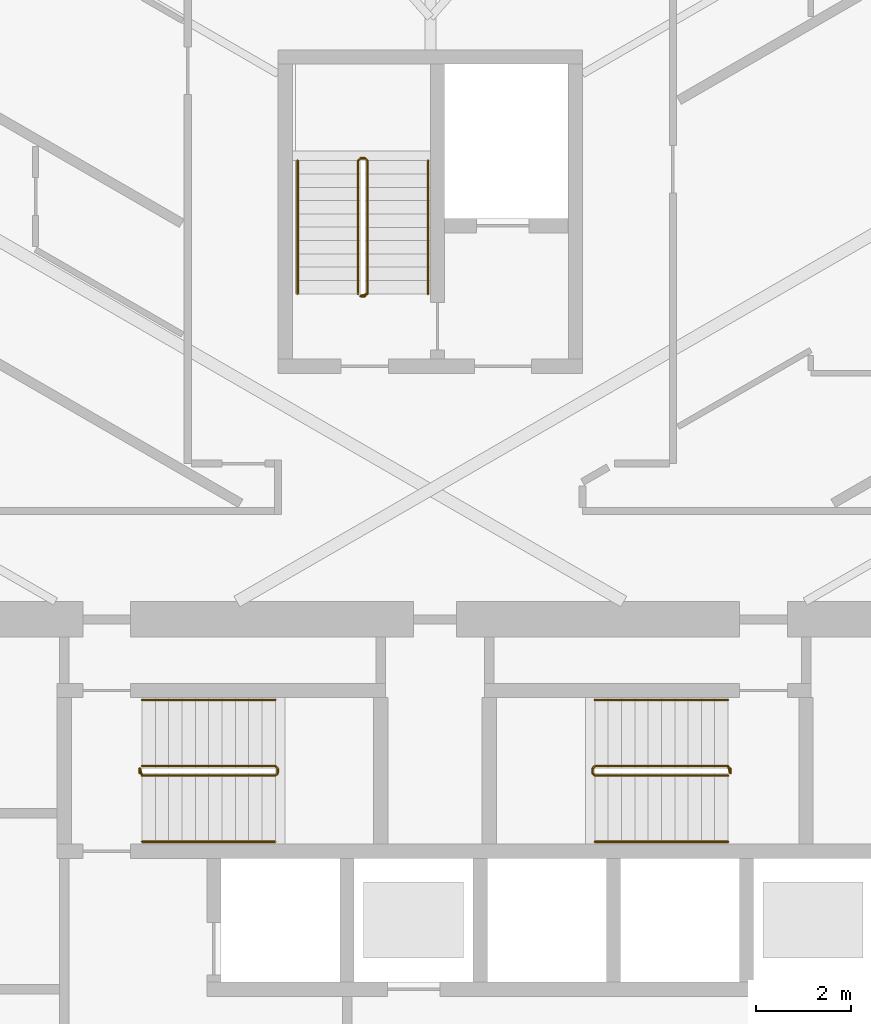
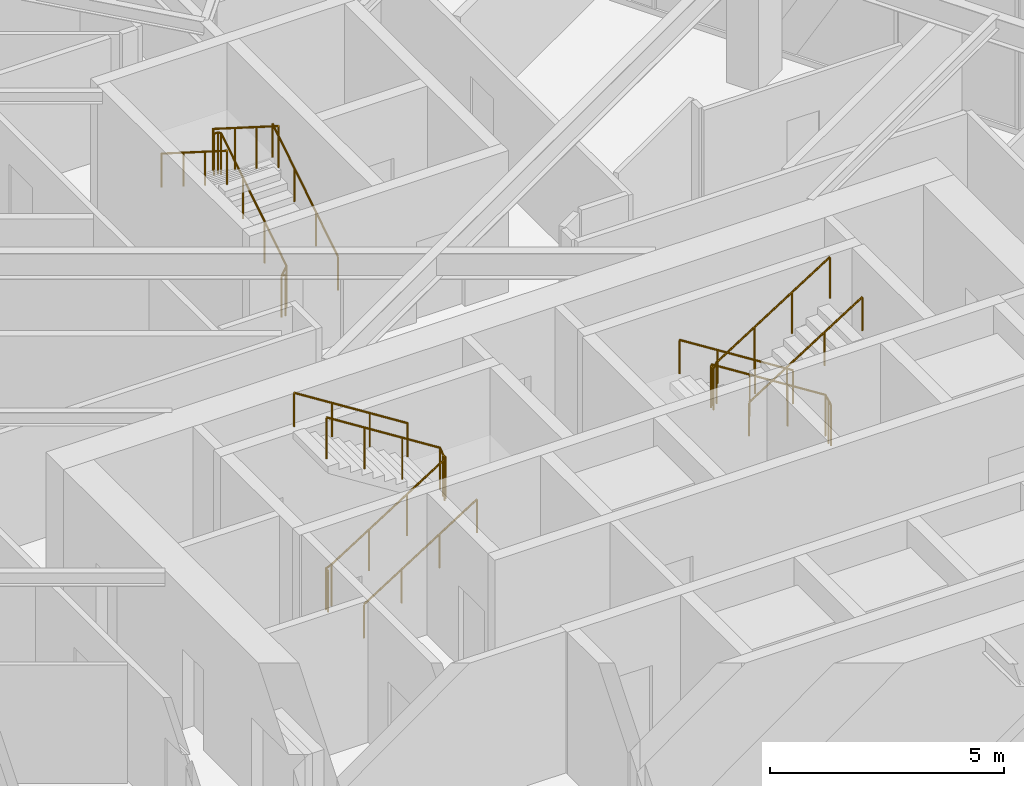
# One storey, part 23 of 24: 9 railings.
"""IFC4 building model written with IfcOpenShell, lengths in metres."""

from ifc_helpers import new_model, si_unit, direction, frame, origin, origin_2d, place, context, subcontext, project, spatial, circle, extrude, material, type_object, element, save


model = new_model("IFC4")

# Units and contexts
model_context = context("Model", 3, precision=1e-05, world=origin(), true_north=direction((0.0, 1.0)))
body_context = subcontext(model_context, "Body", "Model", "MODEL_VIEW")
ifc_project = project(units=[si_unit("LENGTHUNIT", "METRE"), si_unit("AREAUNIT", "SQUARE_METRE"), si_unit("VOLUMEUNIT", "CUBIC_METRE"), si_unit("PLANEANGLEUNIT", "RADIAN"), si_unit("MASSUNIT", "GRAM", prefix="KILO")], contexts=[model_context])

# Site, building, storey
site_placement = place(None, origin())
site = spatial("IfcSite", under=ifc_project, at=site_placement, CompositionType="ELEMENT")
building_placement = place(site_placement, origin())
building = spatial("IfcBuilding", under=site, at=building_placement, Name="Firuza Gate Tower and Library", CompositionType="ELEMENT")
storey_placement = place(building_placement, frame((0.0, 0.0, 171.39990234375)))
storey = spatial("IfcBuildingStorey", under=building, at=storey_placement, Name="L39", CompositionType="ELEMENT", Elevation=171.39990234375)

# Railings
ifc_material_1 = material(Name="Steel S355", Category="steel")
railing_type_1 = type_object("IfcRailingType", Name="Stair guard 1100", PredefinedType="GUARDRAIL", material=ifc_material_1)
railing_1_placement = place(storey_placement, frame((68.889892578125, 79.389892578125, 0.0)))
element("IfcRailing", 1, at=railing_1_placement, inside=storey, type_object=railing_type_1, Name="L39 ST1 stair guard 1", PredefinedType="GUARDRAIL", context=body_context, shape_type="SweptSolid", body=[
    extrude(circle(Radius=0.02392578125, at=origin_2d()), frame((0.0, 0.0, 1.076171875), z_axis=(0.0, 1.0, 0.0), x_axis=(-1.0, 0.0, 0.0)), (0.0, 0.0, 1.0), 0.10009765625),
    extrude(circle(Radius=0.02392578125, at=origin_2d()), frame((0.0, 0.10009765625, 1.076171875), z_axis=(0.210597297161, -0.630764587594, 0.746849927004), x_axis=(0.948528701346, 0.316691178788, 0.0)), (0.0, 0.0, 1.0), 0.237548828125),
    extrude(circle(Radius=0.02392578125, at=origin_2d()), frame((0.050048828125, -0.0498046875, 1.25341796875), z_axis=(0.844908973607, 0.0, 0.534910110503), x_axis=(0.0, 1.0, 0.0)), (0.0, 0.0, 1.0), 3.31396484375),
    extrude(circle(Radius=0.02392578125, at=origin_2d()), frame((2.85009765625, -0.0498046875, 3.0263671875), z_axis=(0.708833529934, 0.705375805398, 0.0), x_axis=(-0.705375805398, 0.708833529934, 0.0)), (0.0, 0.0, 1.0), 0.070556640625),
    extrude(circle(Radius=0.02392578125, at=origin_2d()), frame((2.900146484375, 0.0, 3.0263671875), z_axis=(0.0, 1.0, 0.0), x_axis=(-1.0, 0.0, 0.0)), (0.0, 0.0, 1.0), 0.10009765625),
    extrude(circle(Radius=0.02392578125, at=origin_2d()), frame((2.900146484375, 0.10009765625, 3.0263671875), z_axis=(-0.262233686654, 0.262233686654, 0.928691007369), x_axis=(-0.707106781187, -0.707106781187, 0.0)), (0.0, 0.0, 1.0), 0.19091796875),
    extrude(circle(Radius=0.02392578125, at=origin_2d()), frame((2.85009765625, 0.150146484375, 3.20361328125), z_axis=(-0.844908973607, 0.0, 0.534910110503), x_axis=(0.0, -1.0, 0.0)), (0.0, 0.0, 1.0), 3.31396484375),
    extrude(circle(Radius=0.02099609375, at=origin_2d()), origin(), (0.0, 0.0, 1.0), 1.052001953125),
    extrude(circle(Radius=0.02099609375, at=origin_2d()), frame((0.0, 0.10009765625, 0.0)), (0.0, 0.0, 1.0), 1.052001953125),
    extrude(circle(Radius=0.02099609375, at=origin_2d()), frame((0.050048828125, -0.0498046875, 0.177490234375)), (0.0, 0.0, 1.0), 1.052001953125),
    extrude(circle(Radius=0.02099609375, at=origin_2d()), frame((0.9833984375, -0.0498046875, 0.768310546875)), (0.0, 0.0, 1.0), 1.052001953125),
    extrude(circle(Radius=0.02099609375, at=origin_2d()), frame((1.916748046875, -0.0498046875, 1.359375)), (0.0, 0.0, 1.0), 1.052001953125),
    extrude(circle(Radius=0.02099609375, at=origin_2d()), frame((2.85009765625, -0.0498046875, 1.9501953125)), (0.0, 0.0, 1.0), 1.052001953125),
    extrude(circle(Radius=0.02099609375, at=origin_2d()), frame((2.900146484375, 0.0, 1.9501953125)), (0.0, 0.0, 1.0), 1.052001953125),
    extrude(circle(Radius=0.02099609375, at=origin_2d()), frame((2.900146484375, 0.10009765625, 1.9501953125)), (0.0, 0.0, 1.0), 1.052001953125),
    extrude(circle(Radius=0.02099609375, at=origin_2d()), frame((2.85009765625, 0.150146484375, 2.12744140625)), (0.0, 0.0, 1.0), 1.052001953125),
    extrude(circle(Radius=0.02099609375, at=origin_2d()), frame((1.916748046875, 0.150146484375, 2.71826171875)), (0.0, 0.0, 1.0), 1.052001953125),
    extrude(circle(Radius=0.02099609375, at=origin_2d()), frame((0.9833984375, 0.150146484375, 3.309326171875)), (0.0, 0.0, 1.0), 1.052001953125),
    extrude(circle(Radius=0.02099609375, at=origin_2d()), frame((0.050048828125, 0.150146484375, 3.900146484375)), (0.0, 0.0, 1.0), 1.052001953125),
])
railing_2_placement = place(storey_placement, frame((81.31005859375, 79.489990234375, 0.0)))
element("IfcRailing", 2, at=railing_2_placement, inside=storey, type_object=railing_type_1, Name="L39 ST2 stair guard 1", PredefinedType="GUARDRAIL", context=body_context, shape_type="SweptSolid", body=[
    extrude(circle(Radius=0.02392578125, at=origin_2d()), frame((0.0, 0.0, 1.076171875), z_axis=(0.0, -1.0, 0.0), x_axis=(1.0, 0.0, 0.0)), (0.0, 0.0, 1.0), 0.10009765625),
    extrude(circle(Radius=0.02392578125, at=origin_2d()), frame((0.0, -0.10009765625, 1.076171875), z_axis=(-0.210460854454, 0.631382563363, 0.746366054577), x_axis=(-0.948683298051, -0.316227766017, 0.0)), (0.0, 0.0, 1.0), 0.23779296875),
    extrude(circle(Radius=0.02392578125, at=origin_2d()), frame((-0.050048828125, 0.050048828125, 1.25341796875), z_axis=(-0.844908973607, 0.0, 0.534910110503), x_axis=(0.0, -1.0, 0.0)), (0.0, 0.0, 1.0), 3.31396484375),
    extrude(circle(Radius=0.02392578125, at=origin_2d()), frame((-2.85009765625, 0.050048828125, 3.0263671875), z_axis=(-0.707106781187, -0.707106781187, 0.0), x_axis=(0.707106781187, -0.707106781187, 0.0)), (0.0, 0.0, 1.0), 0.07080078125),
    extrude(circle(Radius=0.02392578125, at=origin_2d()), frame((-2.900146484375, 0.0, 3.0263671875), z_axis=(0.0, -1.0, 0.0), x_axis=(1.0, 0.0, 0.0)), (0.0, 0.0, 1.0), 0.10009765625),
    extrude(circle(Radius=0.02392578125, at=origin_2d()), frame((-2.900146484375, -0.10009765625, 3.0263671875), z_axis=(0.262321481514, -0.261041864531, 0.929001929653), x_axis=(0.705375805398, 0.708833529934, 0.0)), (0.0, 0.0, 1.0), 0.190673828125),
    extrude(circle(Radius=0.02392578125, at=origin_2d()), frame((-2.85009765625, -0.14990234375, 3.20361328125), z_axis=(0.844908973607, 0.0, 0.534910110503), x_axis=(0.0, 1.0, 0.0)), (0.0, 0.0, 1.0), 3.31396484375),
    extrude(circle(Radius=0.02099609375, at=origin_2d()), origin(), (0.0, 0.0, 1.0), 1.052001953125),
    extrude(circle(Radius=0.02099609375, at=origin_2d()), frame((0.0, -0.10009765625, 0.0)), (0.0, 0.0, 1.0), 1.052001953125),
    extrude(circle(Radius=0.02099609375, at=origin_2d()), frame((-0.050048828125, 0.050048828125, 0.177490234375)), (0.0, 0.0, 1.0), 1.052001953125),
    extrude(circle(Radius=0.02099609375, at=origin_2d()), frame((-0.9833984375, 0.050048828125, 0.768310546875)), (0.0, 0.0, 1.0), 1.052001953125),
    extrude(circle(Radius=0.02099609375, at=origin_2d()), frame((-1.916748046875, 0.050048828125, 1.359375)), (0.0, 0.0, 1.0), 1.052001953125),
    extrude(circle(Radius=0.02099609375, at=origin_2d()), frame((-2.85009765625, 0.050048828125, 1.9501953125)), (0.0, 0.0, 1.0), 1.052001953125),
    extrude(circle(Radius=0.02099609375, at=origin_2d()), frame((-2.900146484375, 0.0, 1.9501953125)), (0.0, 0.0, 1.0), 1.052001953125),
    extrude(circle(Radius=0.02099609375, at=origin_2d()), frame((-2.900146484375, -0.10009765625, 1.9501953125)), (0.0, 0.0, 1.0), 1.052001953125),
    extrude(circle(Radius=0.02099609375, at=origin_2d()), frame((-2.85009765625, -0.14990234375, 2.12744140625)), (0.0, 0.0, 1.0), 1.052001953125),
    extrude(circle(Radius=0.02099609375, at=origin_2d()), frame((-1.916748046875, -0.14990234375, 2.71826171875)), (0.0, 0.0, 1.0), 1.052001953125),
    extrude(circle(Radius=0.02099609375, at=origin_2d()), frame((-0.9833984375, -0.14990234375, 3.309326171875)), (0.0, 0.0, 1.0), 1.052001953125),
    extrude(circle(Radius=0.02099609375, at=origin_2d()), frame((-0.050048828125, -0.14990234375, 3.900146484375)), (0.0, 0.0, 1.0), 1.052001953125),
])
railing_3_placement = place(storey_placement, frame((73.6298828125, 89.419921875, 0.0)))
element("IfcRailing", 3, at=railing_3_placement, inside=storey, type_object=railing_type_1, Name="L39 ST3 stair guard 1", PredefinedType="GUARDRAIL", context=body_context, shape_type="SweptSolid", body=[
    extrude(circle(Radius=0.02392578125, at=origin_2d()), frame((0.0, 0.0, 1.076171875), z_axis=(-1.0, 0.0, 0.0), x_axis=(0.0, -1.0, 0.0)), (0.0, 0.0, 1.0), 0.099853515625),
    extrude(circle(Radius=0.02392578125, at=origin_2d()), frame((-0.099853515625, 0.0, 1.076171875), z_axis=(0.630764587594, 0.210597297161, 0.746849927004), x_axis=(-0.316691178788, 0.948528701346, 0.0)), (0.0, 0.0, 1.0), 0.237548828125),
    extrude(circle(Radius=0.02392578125, at=origin_2d()), frame((0.050048828125, 0.050048828125, 1.25341796875), z_axis=(0.0, 0.844908973607, 0.534910110503), x_axis=(-1.0, 0.0, 0.0)), (0.0, 0.0, 1.0), 3.31396484375),
    extrude(circle(Radius=0.02392578125, at=origin_2d()), frame((0.050048828125, 2.85009765625, 3.0263671875), z_axis=(-0.707106781187, 0.707106781187, 0.0), x_axis=(-0.707106781187, -0.707106781187, 0.0)), (0.0, 0.0, 1.0), 0.07080078125),
    extrude(circle(Radius=0.02392578125, at=origin_2d()), frame((0.0, 2.900146484375, 3.0263671875), z_axis=(-1.0, 0.0, 0.0), x_axis=(0.0, -1.0, 0.0)), (0.0, 0.0, 1.0), 0.099853515625),
    extrude(circle(Radius=0.02392578125, at=origin_2d()), frame((-0.099853515625, 2.900146484375, 3.0263671875), z_axis=(-0.262233686654, -0.262233686654, 0.928691007369), x_axis=(0.707106781187, -0.707106781187, 0.0)), (0.0, 0.0, 1.0), 0.19091796875),
    extrude(circle(Radius=0.02392578125, at=origin_2d()), frame((-0.14990234375, 2.85009765625, 3.20361328125), z_axis=(0.0, -0.844908973607, 0.534910110503), x_axis=(1.0, 0.0, 0.0)), (0.0, 0.0, 1.0), 3.31396484375),
    extrude(circle(Radius=0.02099609375, at=origin_2d()), origin(), (0.0, 0.0, 1.0), 1.052001953125),
    extrude(circle(Radius=0.02099609375, at=origin_2d()), frame((-0.099853515625, 0.0, 0.0)), (0.0, 0.0, 1.0), 1.052001953125),
    extrude(circle(Radius=0.02099609375, at=origin_2d()), frame((0.050048828125, 0.050048828125, 0.177490234375)), (0.0, 0.0, 1.0), 1.052001953125),
    extrude(circle(Radius=0.02099609375, at=origin_2d()), frame((0.050048828125, 0.9833984375, 0.768310546875)), (0.0, 0.0, 1.0), 1.052001953125),
    extrude(circle(Radius=0.02099609375, at=origin_2d()), frame((0.050048828125, 1.916748046875, 1.359375)), (0.0, 0.0, 1.0), 1.052001953125),
    extrude(circle(Radius=0.02099609375, at=origin_2d()), frame((0.050048828125, 2.85009765625, 1.9501953125)), (0.0, 0.0, 1.0), 1.052001953125),
    extrude(circle(Radius=0.02099609375, at=origin_2d()), frame((0.0, 2.900146484375, 1.9501953125)), (0.0, 0.0, 1.0), 1.052001953125),
    extrude(circle(Radius=0.02099609375, at=origin_2d()), frame((-0.099853515625, 2.900146484375, 1.9501953125)), (0.0, 0.0, 1.0), 1.052001953125),
    extrude(circle(Radius=0.02099609375, at=origin_2d()), frame((-0.14990234375, 2.85009765625, 2.12744140625)), (0.0, 0.0, 1.0), 1.052001953125),
    extrude(circle(Radius=0.02099609375, at=origin_2d()), frame((-0.14990234375, 1.916748046875, 2.71826171875)), (0.0, 0.0, 1.0), 1.052001953125),
    extrude(circle(Radius=0.02099609375, at=origin_2d()), frame((-0.14990234375, 0.9833984375, 3.309326171875)), (0.0, 0.0, 1.0), 1.052001953125),
    extrude(circle(Radius=0.02099609375, at=origin_2d()), frame((-0.14990234375, 0.050048828125, 3.900146484375)), (0.0, 0.0, 1.0), 1.052001953125),
])
ifc_material_2 = material(Name="Steel S355", Category="steel")
railing_type_2 = type_object("IfcRailingType", Name="Stair handrail 900", PredefinedType="HANDRAIL", material=ifc_material_2)
railing_4_placement = place(storey_placement, frame((68.93994140625, 77.949951171875, 0.177490234375)))
element("IfcRailing", 4, at=railing_4_placement, inside=storey, type_object=railing_type_2, Name="L39 ST1 stair handrail 1", PredefinedType="HANDRAIL", context=body_context, shape_type="SweptSolid", body=[
    extrude(circle(Radius=0.02392578125, at=origin_2d()), frame((0.0, 0.0, 0.8759765625), z_axis=(0.844908973607, 0.0, 0.534910110503), x_axis=(0.0, 1.0, 0.0)), (0.0, 0.0, 1.0), 3.31396484375),
    extrude(circle(Radius=0.02099609375, at=origin_2d()), origin(), (0.0, 0.0, 1.0), 0.851806640625),
    extrude(circle(Radius=0.02099609375, at=origin_2d()), frame((0.933349609375, 0.0, 0.5908203125)), (0.0, 0.0, 1.0), 0.851806640625),
    extrude(circle(Radius=0.02099609375, at=origin_2d()), frame((1.86669921875, 0.0, 1.181884765625)), (0.0, 0.0, 1.0), 0.851806640625),
    extrude(circle(Radius=0.02099609375, at=origin_2d()), frame((2.800048828125, 0.0, 1.772705078125)), (0.0, 0.0, 1.0), 0.851806640625),
])
for number, where, name in (
    (5, (71.739990234375, 80.929931640625, 2.12744140625), "L39 ST1 stair handrail 2"),
    (6, (81.260009765625, 80.929931640625, 0.177490234375), "L39 ST2 stair handrail 1"),
):
    element("IfcRailing", number, at=place(storey_placement, frame(where)), inside=storey, type_object=railing_type_2, Name=name, PredefinedType="HANDRAIL", context=body_context, shape_type="SweptSolid", body=[
        extrude(circle(Radius=0.02392578125, at=origin_2d()), frame((0.0, 0.0, 0.8759765625), z_axis=(-0.844908973607, 0.0, 0.534910110503), x_axis=(0.0, -1.0, 0.0)), (0.0, 0.0, 1.0), 3.31396484375),
        extrude(circle(Radius=0.02099609375, at=origin_2d()), origin(), (0.0, 0.0, 1.0), 0.851806640625),
        extrude(circle(Radius=0.02099609375, at=origin_2d()), frame((-0.933349609375, 0.0, 0.5908203125)), (0.0, 0.0, 1.0), 0.851806640625),
        extrude(circle(Radius=0.02099609375, at=origin_2d()), frame((-1.86669921875, 0.0, 1.181884765625)), (0.0, 0.0, 1.0), 0.851806640625),
        extrude(circle(Radius=0.02099609375, at=origin_2d()), frame((-2.800048828125, 0.0, 1.772705078125)), (0.0, 0.0, 1.0), 0.851806640625),
    ])
railing_5_placement = place(storey_placement, frame((78.4599609375, 77.949951171875, 2.12744140625)))
element("IfcRailing", 7, at=railing_5_placement, inside=storey, type_object=railing_type_2, Name="L39 ST2 stair handrail 2", PredefinedType="HANDRAIL", context=body_context, shape_type="SweptSolid", body=[
    extrude(circle(Radius=0.02392578125, at=origin_2d()), frame((0.0, 0.0, 0.8759765625), z_axis=(0.844908973607, 0.0, 0.534910110503), x_axis=(0.0, 1.0, 0.0)), (0.0, 0.0, 1.0), 3.31396484375),
    extrude(circle(Radius=0.02099609375, at=origin_2d()), origin(), (0.0, 0.0, 1.0), 0.851806640625),
    extrude(circle(Radius=0.02099609375, at=origin_2d()), frame((0.933349609375, 0.0, 0.5908203125)), (0.0, 0.0, 1.0), 0.851806640625),
    extrude(circle(Radius=0.02099609375, at=origin_2d()), frame((1.86669921875, 0.0, 1.181884765625)), (0.0, 0.0, 1.0), 0.851806640625),
    extrude(circle(Radius=0.02099609375, at=origin_2d()), frame((2.800048828125, 0.0, 1.772705078125)), (0.0, 0.0, 1.0), 0.851806640625),
])
railing_6_placement = place(storey_placement, frame((74.949951171875, 89.469970703125, 0.177490234375)))
element("IfcRailing", 8, at=railing_6_placement, inside=storey, type_object=railing_type_2, Name="L39 ST3 stair handrail 1", PredefinedType="HANDRAIL", context=body_context, shape_type="SweptSolid", body=[
    extrude(circle(Radius=0.02392578125, at=origin_2d()), frame((0.0, 0.0, 0.8759765625), z_axis=(0.0, 0.844908973607, 0.534910110503), x_axis=(-1.0, 0.0, 0.0)), (0.0, 0.0, 1.0), 3.31396484375),
    extrude(circle(Radius=0.02099609375, at=origin_2d()), origin(), (0.0, 0.0, 1.0), 0.851806640625),
    extrude(circle(Radius=0.02099609375, at=origin_2d()), frame((0.0, 0.933349609375, 0.5908203125)), (0.0, 0.0, 1.0), 0.851806640625),
    extrude(circle(Radius=0.02099609375, at=origin_2d()), frame((0.0, 1.86669921875, 1.181884765625)), (0.0, 0.0, 1.0), 0.851806640625),
    extrude(circle(Radius=0.02099609375, at=origin_2d()), frame((0.0, 2.800048828125, 1.772705078125)), (0.0, 0.0, 1.0), 0.851806640625),
])
railing_7_placement = place(storey_placement, frame((72.2099609375, 92.27001953125, 2.12744140625)))
element("IfcRailing", 9, at=railing_7_placement, inside=storey, type_object=railing_type_2, Name="L39 ST3 stair handrail 2", PredefinedType="HANDRAIL", context=body_context, shape_type="SweptSolid", body=[
    extrude(circle(Radius=0.02392578125, at=origin_2d()), frame((0.0, 0.0, 0.8759765625), z_axis=(0.0, -0.844908973607, 0.534910110503), x_axis=(1.0, 0.0, 0.0)), (0.0, 0.0, 1.0), 3.31396484375),
    extrude(circle(Radius=0.02099609375, at=origin_2d()), origin(), (0.0, 0.0, 1.0), 0.851806640625),
    extrude(circle(Radius=0.02099609375, at=origin_2d()), frame((0.0, -0.933349609375, 0.5908203125)), (0.0, 0.0, 1.0), 0.851806640625),
    extrude(circle(Radius=0.02099609375, at=origin_2d()), frame((0.0, -1.86669921875, 1.181884765625)), (0.0, 0.0, 1.0), 0.851806640625),
    extrude(circle(Radius=0.02099609375, at=origin_2d()), frame((0.0, -2.800048828125, 1.772705078125)), (0.0, 0.0, 1.0), 0.851806640625),
])

save(model, "model.ifc")
